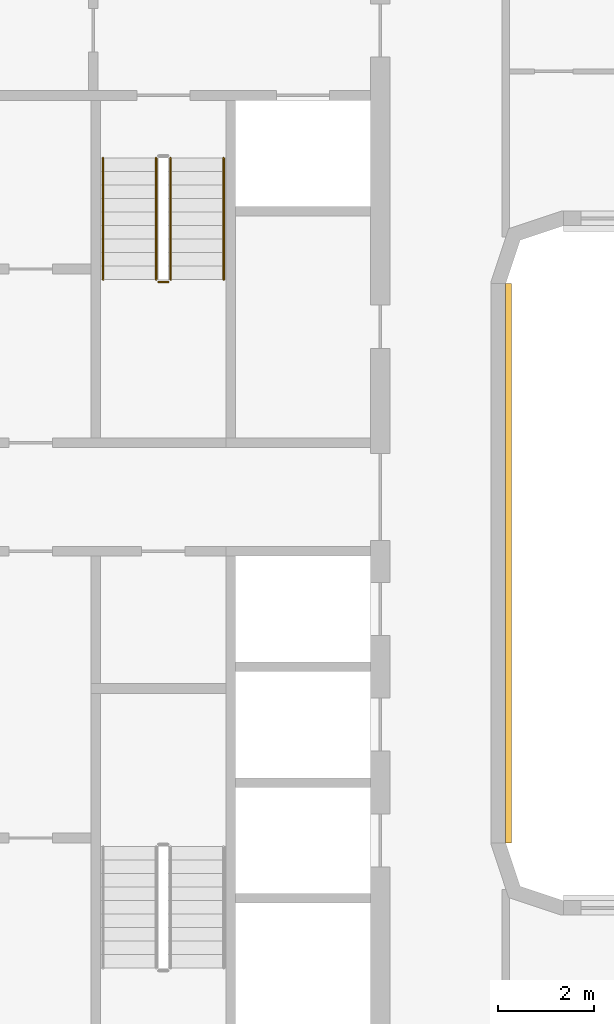
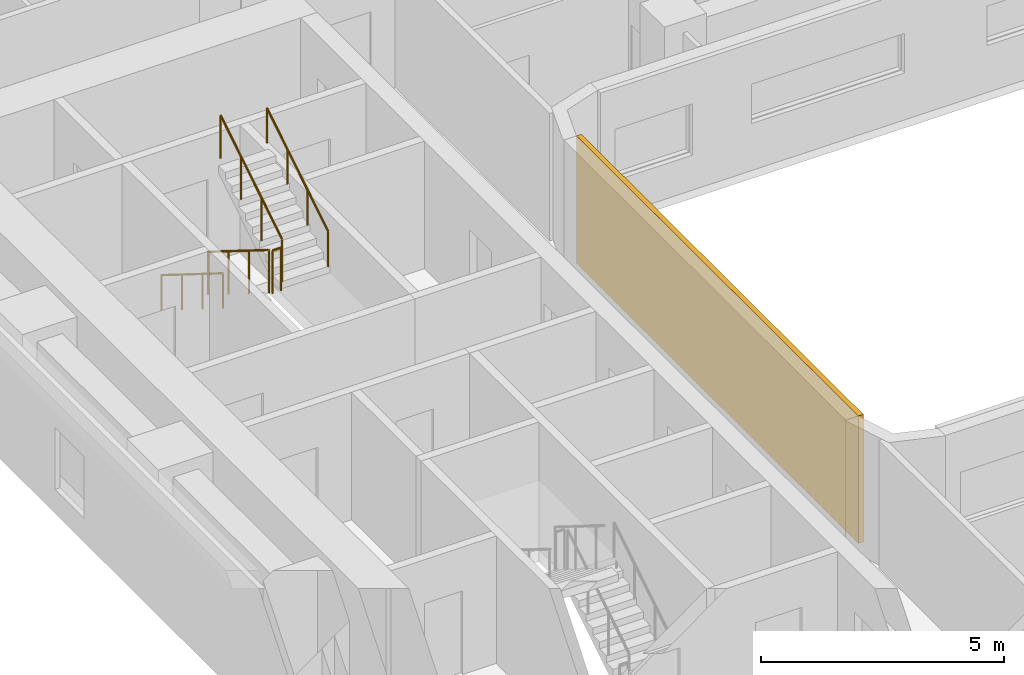
# One storey, part 15 of 21: 5 railings, 1 covering.
"""IFC4 building model written with IfcOpenShell, lengths in metres."""

from ifc_helpers import new_model, si_unit, direction, frame, origin, origin_2d, place, context, subcontext, project, spatial, polyline, circle, outline, extrude, material, layer, layer_set, type_object, element, save


model = new_model("IFC4")

# Units and contexts
model_context = context("Model", 3, precision=1e-05, world=origin(), true_north=direction((0.0, 1.0)))
body_context = subcontext(model_context, "Body", "Model", "MODEL_VIEW")
ifc_project = project(units=[si_unit("LENGTHUNIT", "METRE"), si_unit("AREAUNIT", "SQUARE_METRE"), si_unit("VOLUMEUNIT", "CUBIC_METRE"), si_unit("PLANEANGLEUNIT", "RADIAN"), si_unit("MASSUNIT", "GRAM", prefix="KILO")], contexts=[model_context])

# Site, building, storey
site_placement = place(None, origin())
site = spatial("IfcSite", under=ifc_project, at=site_placement, CompositionType="ELEMENT")
building_placement = place(site_placement, origin())
building = spatial("IfcBuilding", under=site, at=building_placement, Name="Kiln Ring Residences", CompositionType="ELEMENT")
storey_placement = place(building_placement, frame((0.0, 0.0, 93.800048828125)))
storey = spatial("IfcBuildingStorey", under=building, at=storey_placement, Name="L23", CompositionType="ELEMENT", Elevation=93.800048828125)

# Railings
ifc_material_1 = material(Name="Stainless steel", Category="steel")
railing_type_1 = type_object("IfcRailingType", Name="CORE-STAIR-GUARD", PredefinedType="GUARDRAIL", material=ifc_material_1)
railing_1_placement = place(storey_placement, frame((-22.25, 8.39990234375, 0.175048828125)))
element("IfcRailing", 1, at=railing_1_placement, inside=storey, type_object=railing_type_1, Name="L23 W-STN stair guard 1", PredefinedType="GUARDRAIL", context=body_context, shape_type="SweptSolid", body=[
    extrude(circle(Radius=0.02392578125, at=origin_2d()), frame((0.0, 0.0, 1.076171875), z_axis=(0.0, -0.848007534815, 0.529984170421), x_axis=(1.0, 0.0, 0.0)), (0.0, 0.0, 1.0), 2.9716796875),
    extrude(circle(Radius=0.02099609375, at=origin_2d()), origin(), (0.0, 0.0, 1.0), 1.052001953125),
    extrude(circle(Radius=0.02099609375, at=origin_2d()), frame((0.0, -0.840087890625, 0.52490234375)), (0.0, 0.0, 1.0), 1.052001953125),
    extrude(circle(Radius=0.02099609375, at=origin_2d()), frame((0.0, -1.679931640625, 1.050048828125)), (0.0, 0.0, 1.0), 1.052001953125),
    extrude(circle(Radius=0.02099609375, at=origin_2d()), frame((0.0, -2.52001953125, 1.574951171875)), (0.0, 0.0, 1.0), 1.052001953125),
])
railing_2_placement = place(storey_placement, frame((-22.199951171875, 5.830078125, 1.75)))
element("IfcRailing", 2, at=railing_2_placement, inside=storey, type_object=railing_type_1, Name="L23 W-STN stair guard 2", PredefinedType="GUARDRAIL", context=body_context, shape_type="SweptSolid", body=[
    extrude(circle(Radius=0.02392578125, at=origin_2d()), frame((0.0, 0.0, 1.076171875), z_axis=(1.0, 0.0, 0.0), x_axis=(0.0, 1.0, 0.0)), (0.0, 0.0, 1.0), 0.199951171875),
    extrude(circle(Radius=0.02099609375, at=origin_2d()), origin(), (0.0, 0.0, 1.0), 1.052001953125),
    extrude(circle(Radius=0.02099609375, at=origin_2d()), frame((0.199951171875, 0.0, 0.0)), (0.0, 0.0, 1.0), 1.052001953125),
])
railing_3_placement = place(storey_placement, frame((-21.949951171875, 5.8798828125, 1.925048828125)))
element("IfcRailing", 3, at=railing_3_placement, inside=storey, type_object=railing_type_1, Name="L23 W-STN stair guard 3", PredefinedType="GUARDRAIL", context=body_context, shape_type="SweptSolid", body=[
    extrude(circle(Radius=0.02392578125, at=origin_2d()), frame((0.0, 0.0, 1.076171875), z_axis=(0.0, 0.848007534815, 0.529984170421), x_axis=(-1.0, 0.0, 0.0)), (0.0, 0.0, 1.0), 2.9716796875),
    extrude(circle(Radius=0.02099609375, at=origin_2d()), origin(), (0.0, 0.0, 1.0), 1.052001953125),
    extrude(circle(Radius=0.02099609375, at=origin_2d()), frame((0.0, 0.840087890625, 0.52490234375)), (0.0, 0.0, 1.0), 1.052001953125),
    extrude(circle(Radius=0.02099609375, at=origin_2d()), frame((0.0, 1.679931640625, 1.050048828125)), (0.0, 0.0, 1.0), 1.052001953125),
    extrude(circle(Radius=0.02099609375, at=origin_2d()), frame((0.0, 2.52001953125, 1.574951171875)), (0.0, 0.0, 1.0), 1.052001953125),
])
ifc_material_2 = material(Name="Stainless steel", Category="steel")
railing_type_2 = type_object("IfcRailingType", Name="CORE-STAIR-HANDRAIL", PredefinedType="HANDRAIL", material=ifc_material_2)
railing_4_placement = place(storey_placement, frame((-23.35009765625, 8.39990234375, 0.175048828125)))
element("IfcRailing", 4, at=railing_4_placement, inside=storey, type_object=railing_type_2, Name="L23 W-STN stair handrail 1", PredefinedType="HANDRAIL", context=body_context, shape_type="SweptSolid", body=[
    extrude(circle(Radius=0.02392578125, at=origin_2d()), frame((0.0, 0.0, 0.8759765625), z_axis=(0.0, -0.848007534815, 0.529984170421), x_axis=(1.0, 0.0, 0.0)), (0.0, 0.0, 1.0), 2.9716796875),
    extrude(circle(Radius=0.02099609375, at=origin_2d()), origin(), (0.0, 0.0, 1.0), 0.851806640625),
    extrude(circle(Radius=0.02099609375, at=origin_2d()), frame((0.0, -0.840087890625, 0.52490234375)), (0.0, 0.0, 1.0), 0.851806640625),
    extrude(circle(Radius=0.02099609375, at=origin_2d()), frame((0.0, -1.679931640625, 1.050048828125)), (0.0, 0.0, 1.0), 0.851806640625),
    extrude(circle(Radius=0.02099609375, at=origin_2d()), frame((0.0, -2.52001953125, 1.574951171875)), (0.0, 0.0, 1.0), 0.851806640625),
])
railing_5_placement = place(storey_placement, frame((-20.85009765625, 5.8798828125, 1.925048828125)))
element("IfcRailing", 5, at=railing_5_placement, inside=storey, type_object=railing_type_2, Name="L23 W-STN stair handrail 2", PredefinedType="HANDRAIL", context=body_context, shape_type="SweptSolid", body=[
    extrude(circle(Radius=0.02392578125, at=origin_2d()), frame((0.0, 0.0, 0.8759765625), z_axis=(0.0, 0.848007534815, 0.529984170421), x_axis=(-1.0, 0.0, 0.0)), (0.0, 0.0, 1.0), 2.9716796875),
    extrude(circle(Radius=0.02099609375, at=origin_2d()), origin(), (0.0, 0.0, 1.0), 0.851806640625),
    extrude(circle(Radius=0.02099609375, at=origin_2d()), frame((0.0, 0.840087890625, 0.52490234375)), (0.0, 0.0, 1.0), 0.851806640625),
    extrude(circle(Radius=0.02099609375, at=origin_2d()), frame((0.0, 1.679931640625, 1.050048828125)), (0.0, 0.0, 1.0), 0.851806640625),
    extrude(circle(Radius=0.02099609375, at=origin_2d()), frame((0.0, 2.52001953125, 1.574951171875)), (0.0, 0.0, 1.0), 0.851806640625),
])

# Covering
ifc_material_3 = material(Name="Brick masonry, dark clay brick", Category="masonry")
ifc_layer = layer(ifc_material_3, 0.1201171875)
ifc_layer_set = layer_set([ifc_layer], Name="RAINSCREEN PANEL 120")
covering_type = type_object("IfcCoveringType", Name="RAINSCREEN PANEL 120", PredefinedType="CLADDING", material=ifc_layer_set)
covering_placement = place(storey_placement, frame((-14.93994140625, -5.800048828125, 0.0), z_axis=(0.0, 0.0, 1.0), x_axis=(0.0, 1.0, 0.0)))
element("IfcCovering", 6, at=covering_placement, inside=storey, type_object=covering_type, Name="RAINSCREEN L23", PredefinedType="CLADDING", context=body_context, shape_type="SweptSolid", body=[
    extrude(outline(polyline([(0.0, 0.0), (11.60009765625, 0.0), (11.60009765625, 3.199951171875), (0.0, 3.199951171875), (0.0, 0.0)])), frame((0.0, 0.06005859375, 0.0), z_axis=(0.0, -1.0, 0.0), x_axis=(1.0, 0.0, 0.0)), (0.0, 0.0, 1.0), 0.1201171875),
])

save(model, "model.ifc")
